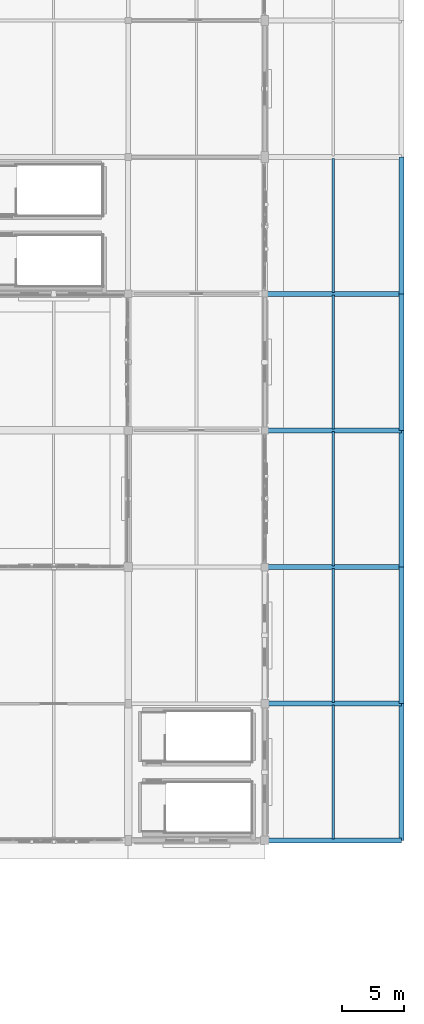
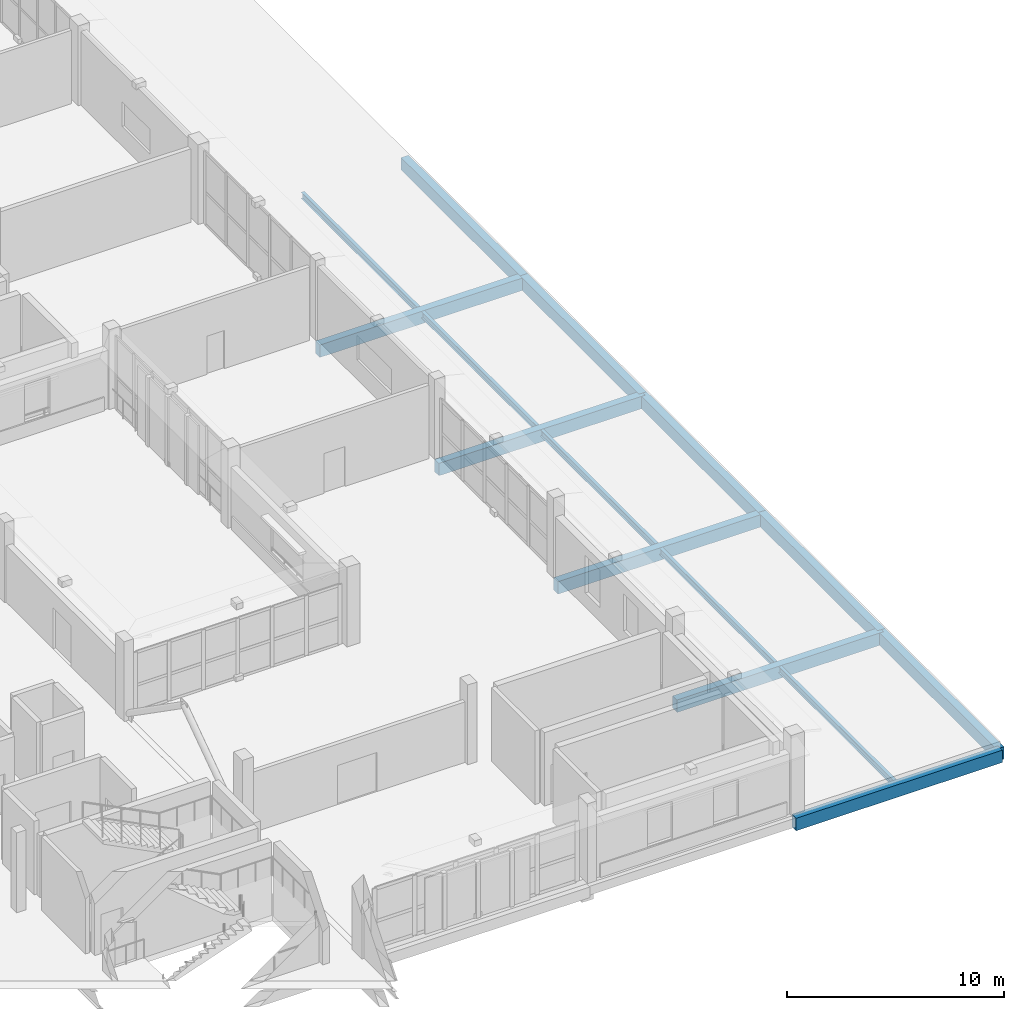
# One storey, part 58 of 118: 15 beams.
"""IFC4 building model written with IfcOpenShell, lengths in metres."""

from ifc_helpers import new_model, si_unit, direction, frame, origin, origin_2d, place, context, subcontext, project, spatial, rectangle, i_section, extrude, material, material_profile, profile_set, type_object, element, save


model = new_model("IFC4")

# Units and contexts
model_context = context("Model", 3, precision=1e-05, world=origin(), true_north=direction((0.0, 1.0)))
body_context = subcontext(model_context, "Body", "Model", "MODEL_VIEW")
ifc_project = project(units=[si_unit("LENGTHUNIT", "METRE"), si_unit("AREAUNIT", "SQUARE_METRE"), si_unit("VOLUMEUNIT", "CUBIC_METRE"), si_unit("PLANEANGLEUNIT", "RADIAN"), si_unit("MASSUNIT", "GRAM", prefix="KILO")], contexts=[model_context])

# Site, building, storey
site_placement = place(None, origin())
site = spatial("IfcSite", under=ifc_project, at=site_placement, CompositionType="ELEMENT")
building_placement = place(site_placement, origin())
building = spatial("IfcBuilding", under=site, at=building_placement, Name="Luwafu Chhajja Arena", CompositionType="ELEMENT")
storey_placement = place(building_placement, frame((0.0, 0.0, 10.199951171875)))
storey = spatial("IfcBuildingStorey", under=building, at=storey_placement, Name="L02", CompositionType="ELEMENT", Elevation=10.199951171875)

# Beams
ifc_material_1 = material(Name="Concrete C35/45", Category="concrete")
ifc_material_profile_1 = material_profile(ifc_material_1, rectangle(XDim=0.39990234375, YDim=0.699951171875, at=origin_2d()), Name="RC 400x700")
ifc_profile_set_1 = profile_set([ifc_material_profile_1], Name="Concrete C35/45")
beam_type_1 = type_object("IfcBeamType", Name="Wing Frame Beam RC 400x700", PredefinedType="BEAM", material=ifc_profile_set_1)
for number, where, z_axis, x_axis, name in (
    (1, (187.0, 11.0, -0.724853515625), (1.0, 0.0, 0.0), (0.0, 1.0, 0.0), "L02 Podium Roof Deck Beam X-16_01"),
    (2, (187.0, 22.0, -0.724853515625), (1.0, 0.0, 0.0), (0.0, 1.0, 0.0), "L02 Podium Roof Deck Beam X-16_02"),
    (3, (198.0, 11.0, -0.724853515625), (0.0, 1.0, 0.0), (-1.0, 0.0, 0.0), "L02 Podium Roof Deck Beam Y-17_01"),
    (4, (187.0, 33.0, -0.724853515625), (1.0, 0.0, 0.0), (0.0, 1.0, 0.0), "L02 Podium Roof Deck Beam X-16_03"),
    (5, (198.0, 22.0, -0.724853515625), (0.0, 1.0, 0.0), (-1.0, 0.0, 0.0), "L02 Podium Roof Deck Beam Y-17_02"),
    (6, (187.0, 44.0, -0.724853515625), (1.0, 0.0, 0.0), (0.0, 1.0, 0.0), "L02 Podium Roof Deck Beam X-16_04"),
    (7, (198.0, 33.0, -0.724853515625), (0.0, 1.0, 0.0), (-1.0, 0.0, 0.0), "L02 Podium Roof Deck Beam Y-17_03"),
    (8, (187.0, 55.0, -0.724853515625), (1.0, 0.0, 0.0), (0.0, 1.0, 0.0), "L02 Podium Roof Deck Beam X-16_05"),
    (9, (198.0, 44.0, -0.724853515625), (0.0, 1.0, 0.0), (-1.0, 0.0, 0.0), "L02 Podium Roof Deck Beam Y-17_04"),
    (10, (198.0, 55.0, -0.724853515625), (0.0, 1.0, 0.0), (-1.0, 0.0, 0.0), "L02 Podium Roof Deck Beam Y-17_05"),
):
    element("IfcBeam", number, at=place(storey_placement, frame(where, z_axis=z_axis, x_axis=x_axis)), inside=storey, type_object=beam_type_1, Name=name, PredefinedType="BEAM", context=body_context, shape_type="SweptSolid", body=[
        extrude(rectangle(XDim=0.39990234375, YDim=0.699951171875, at=origin_2d()), origin(), (0.0, 0.0, 1.0), 11.0),
    ])
ifc_material_2 = material(Name="Steel S355", Category="steel")
ifc_material_profile_2 = material_profile(ifc_material_2, i_section(OverallWidth=0.172119140625, OverallDepth=0.35791015625, WebThickness=0.008056640625, FlangeThickness=0.012939453125, at=origin_2d()), Name="UB 356x171x57")
ifc_profile_set_2 = profile_set([ifc_material_profile_2], Name="Steel S355")
beam_type_2 = type_object("IfcBeamType", Name="Wing Roof Purlin Joist UB 356x171x57", PredefinedType="JOIST", material=ifc_profile_set_2)
for number, where, z_axis, x_axis, name in (
    (11, (192.5, 11.10009765625, -0.554931640625), (0.0, 1.0, 0.0), (-1.0, 0.0, 0.0), "L02 Podium Roof Joist 16/1"),
    (12, (192.5, 22.10009765625, -0.554931640625), (0.0, 1.0, 0.0), (-1.0, 0.0, 0.0), "L02 Podium Roof Joist 16/2"),
    (13, (192.5, 33.10009765625, -0.554931640625), (0.0, 1.0, 0.0), (-1.0, 0.0, 0.0), "L02 Podium Roof Joist 16/3"),
    (14, (192.5, 44.10009765625, -0.554931640625), (0.0, 1.0, 0.0), (-1.0, 0.0, 0.0), "L02 Podium Roof Joist 16/4"),
    (15, (192.5, 55.10009765625, -0.554931640625), (0.0, 1.0, 0.0), (-1.0, 0.0, 0.0), "L02 Podium Roof Joist 16/5"),
):
    element("IfcBeam", number, at=place(storey_placement, frame(where, z_axis=z_axis, x_axis=x_axis)), inside=storey, type_object=beam_type_2, Name=name, PredefinedType="JOIST", context=body_context, shape_type="SweptSolid", body=[
        extrude(i_section(OverallWidth=0.172119140625, OverallDepth=0.35791015625, WebThickness=0.008056640625, FlangeThickness=0.012939453125, at=origin_2d()), origin(), (0.0, 0.0, 1.0), 10.7998046875),
    ])

save(model, "model.ifc")
